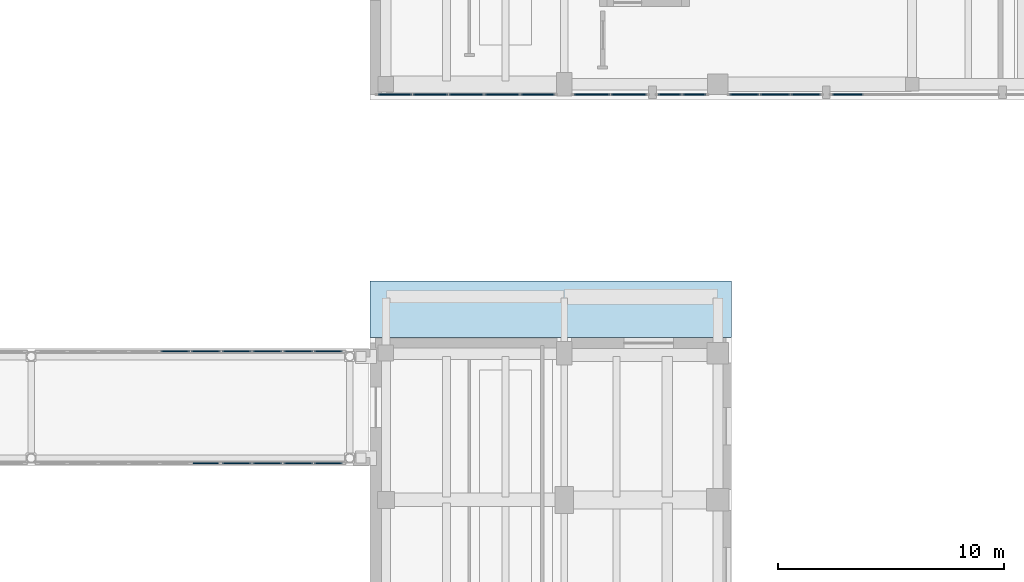
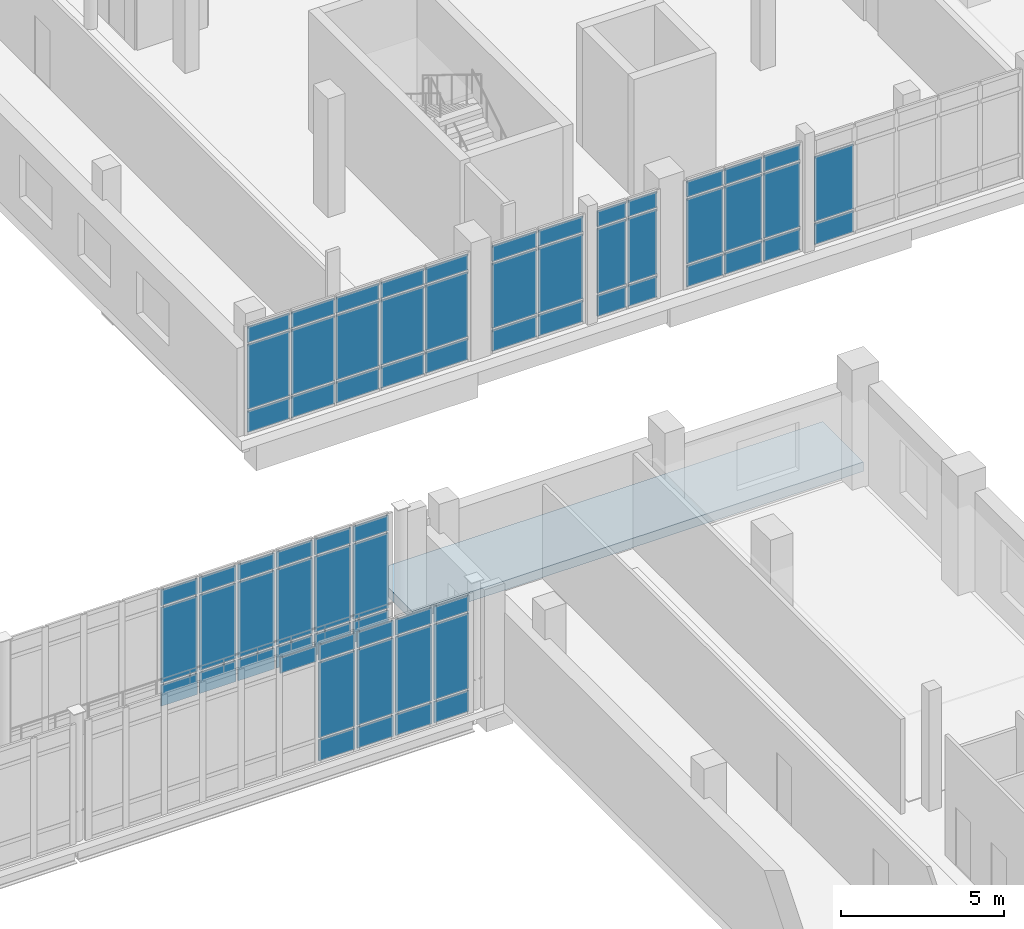
# One storey, part 51 of 89: 69 plates, 1 slab, 7 elements without a shape of their own.
"""IFC4 building model written with IfcOpenShell, lengths in metres."""

from ifc_helpers import new_model, si_unit, direction, frame, origin, origin_2d, place, context, subcontext, project, spatial, polyline, rectangle, outline, extrude, material, layer, layer_set, type_object, element, aggregate, save


model = new_model("IFC4")

# Units and contexts
model_context = context("Model", 3, precision=1e-05, world=origin(), true_north=direction((0.0, 1.0)))
body_context = subcontext(model_context, "Body", "Model", "MODEL_VIEW")
ifc_project = project(units=[si_unit("LENGTHUNIT", "METRE"), si_unit("AREAUNIT", "SQUARE_METRE"), si_unit("VOLUMEUNIT", "CUBIC_METRE"), si_unit("PLANEANGLEUNIT", "RADIAN"), si_unit("MASSUNIT", "GRAM", prefix="KILO")], contexts=[model_context])

# Site, building, storey
site_placement = place(None, origin())
site = spatial("IfcSite", under=ifc_project, at=site_placement, CompositionType="ELEMENT")
building_placement = place(site_placement, origin())
building = spatial("IfcBuilding", under=site, at=building_placement, Name="Soyqirgoq Riverine Aquarium", CompositionType="ELEMENT")
storey_placement = place(building_placement, frame((0.0, 0.0, 5.39990234375)))
storey = spatial("IfcBuildingStorey", under=building, at=storey_placement, Name="L02", CompositionType="ELEMENT", Elevation=5.39990234375)

# Curtain wall, plates
ifc_material_1 = material(Name="Anodised aluminium thermally broken gallery curtain wall", Category="aluminium")
curtain_wall_type_1 = type_object("IfcCurtainWallType", Name="CW_Pavilion_Ribbon", PredefinedType="NOTDEFINED", material=ifc_material_1)
curtain_wall_1_placement = place(storey_placement, origin())
curtain_wall_1 = element("IfcCurtainWall", 1, at=curtain_wall_1_placement, inside=storey, type_object=curtain_wall_type_1, Name="V7 L02 Curtain Wall 127", PredefinedType="NOTDEFINED")
ifc_material_2 = material(Name="Triple insulated laminated low-E glass", Category="glass")
ifc_layer_1 = layer(ifc_material_2, 0.0458984375)
ifc_layer_set_1 = layer_set([ifc_layer_1], Name="Triple insulated laminated low-E glass")
plate_type = type_object("IfcPlateType", Name="CWGlazedPanel_46", PredefinedType="CURTAIN_PANEL", material=ifc_layer_set_1)
plate_1_placement = place(storey_placement, frame((135.15234375, 56.25, 0.074951171875), z_axis=(0.0, 0.0, 1.0), x_axis=(-1.0, 0.0, 0.0)))
plate_1 = element("IfcPlate", 2, at=plate_1_placement, type_object=plate_type, Name="CW-05 panel 5.1", PredefinedType="CURTAIN_PANEL", context=body_context, shape_type="SweptSolid", body=[
    extrude(rectangle(XDim=1.384521484375, YDim=0.0458984375, at=origin_2d()), origin(), (0.0, 0.0, 1.0), 0.78759765625),
])
plate_2_placement = place(storey_placement, frame((135.15234375, 56.25, 0.9375), z_axis=(0.0, 0.0, 1.0), x_axis=(-1.0, 0.0, 0.0)))
plate_2 = element("IfcPlate", 3, at=plate_2_placement, type_object=plate_type, Name="CW-05 panel 5.2", PredefinedType="CURTAIN_PANEL", context=body_context, shape_type="SweptSolid", body=[
    extrude(rectangle(XDim=1.384521484375, YDim=0.0458984375, at=origin_2d()), origin(), (0.0, 0.0, 1.0), 2.425048828125),
])
aggregate(curtain_wall_1, [plate_1, plate_2])

curtain_wall_2_placement = place(storey_placement, origin())
curtain_wall_2 = element("IfcCurtainWall", 4, at=curtain_wall_2_placement, inside=storey, type_object=curtain_wall_type_1, Name="V7 L02 Curtain Wall 128", PredefinedType="NOTDEFINED")
plate_3_placement = place(storey_placement, frame((133.299560546875, 56.25, 0.074951171875), z_axis=(0.0, 0.0, 1.0), x_axis=(-1.0, 0.0, 0.0)))
plate_3 = element("IfcPlate", 5, at=plate_3_placement, type_object=plate_type, Name="CW-05 panel 1.1", PredefinedType="CURTAIN_PANEL", context=body_context, shape_type="SweptSolid", body=[
    extrude(rectangle(XDim=1.28076171875, YDim=0.0458984375, at=origin_2d()), origin(), (0.0, 0.0, 1.0), 0.78759765625),
])
plate_4_placement = place(storey_placement, frame((133.299560546875, 56.25, 0.9375), z_axis=(0.0, 0.0, 1.0), x_axis=(-1.0, 0.0, 0.0)))
plate_4 = element("IfcPlate", 6, at=plate_4_placement, type_object=plate_type, Name="CW-05 panel 1.2", PredefinedType="CURTAIN_PANEL", context=body_context, shape_type="SweptSolid", body=[
    extrude(rectangle(XDim=1.28076171875, YDim=0.0458984375, at=origin_2d()), origin(), (0.0, 0.0, 1.0), 2.425048828125),
])
plate_5_placement = place(storey_placement, frame((133.299560546875, 56.25, 3.437744140625), z_axis=(0.0, 0.0, 1.0), x_axis=(-1.0, 0.0, 0.0)))
plate_5 = element("IfcPlate", 7, at=plate_5_placement, type_object=plate_type, Name="CW-05 panel 1.3", PredefinedType="CURTAIN_PANEL", context=body_context, shape_type="SweptSolid", body=[
    extrude(rectangle(XDim=1.28076171875, YDim=0.0458984375, at=origin_2d()), origin(), (0.0, 0.0, 1.0), 0.58740234375),
])
plate_6_placement = place(storey_placement, frame((131.9375, 56.25, 0.074951171875), z_axis=(0.0, 0.0, 1.0), x_axis=(-1.0, 0.0, 0.0)))
plate_6 = element("IfcPlate", 8, at=plate_6_placement, type_object=plate_type, Name="CW-05 panel 2.1", PredefinedType="CURTAIN_PANEL", context=body_context, shape_type="SweptSolid", body=[
    extrude(rectangle(XDim=1.313232421875, YDim=0.0458984375, at=origin_2d()), origin(), (0.0, 0.0, 1.0), 0.78759765625),
])
plate_7_placement = place(storey_placement, frame((131.9375, 56.25, 0.9375), z_axis=(0.0, 0.0, 1.0), x_axis=(-1.0, 0.0, 0.0)))
plate_7 = element("IfcPlate", 9, at=plate_7_placement, type_object=plate_type, Name="CW-05 panel 2.2", PredefinedType="CURTAIN_PANEL", context=body_context, shape_type="SweptSolid", body=[
    extrude(rectangle(XDim=1.313232421875, YDim=0.0458984375, at=origin_2d()), origin(), (0.0, 0.0, 1.0), 2.425048828125),
])
plate_8_placement = place(storey_placement, frame((131.9375, 56.25, 3.437744140625), z_axis=(0.0, 0.0, 1.0), x_axis=(-1.0, 0.0, 0.0)))
plate_8 = element("IfcPlate", 10, at=plate_8_placement, type_object=plate_type, Name="CW-05 panel 2.3", PredefinedType="CURTAIN_PANEL", context=body_context, shape_type="SweptSolid", body=[
    extrude(rectangle(XDim=1.313232421875, YDim=0.0458984375, at=origin_2d()), origin(), (0.0, 0.0, 1.0), 0.58740234375),
])
plate_9_placement = place(storey_placement, frame((130.575439453125, 56.25, 0.074951171875), z_axis=(0.0, 0.0, 1.0), x_axis=(-1.0, 0.0, 0.0)))
plate_9 = element("IfcPlate", 11, at=plate_9_placement, type_object=plate_type, Name="CW-05 panel 3.1", PredefinedType="CURTAIN_PANEL", context=body_context, shape_type="SweptSolid", body=[
    extrude(rectangle(XDim=1.28076171875, YDim=0.0458984375, at=origin_2d()), origin(), (0.0, 0.0, 1.0), 0.78759765625),
])
plate_10_placement = place(storey_placement, frame((130.575439453125, 56.25, 0.9375), z_axis=(0.0, 0.0, 1.0), x_axis=(-1.0, 0.0, 0.0)))
plate_10 = element("IfcPlate", 12, at=plate_10_placement, type_object=plate_type, Name="CW-05 panel 3.2", PredefinedType="CURTAIN_PANEL", context=body_context, shape_type="SweptSolid", body=[
    extrude(rectangle(XDim=1.28076171875, YDim=0.0458984375, at=origin_2d()), origin(), (0.0, 0.0, 1.0), 2.425048828125),
])
plate_11_placement = place(storey_placement, frame((130.575439453125, 56.25, 3.437744140625), z_axis=(0.0, 0.0, 1.0), x_axis=(-1.0, 0.0, 0.0)))
plate_11 = element("IfcPlate", 13, at=plate_11_placement, type_object=plate_type, Name="CW-05 panel 3.3", PredefinedType="CURTAIN_PANEL", context=body_context, shape_type="SweptSolid", body=[
    extrude(rectangle(XDim=1.28076171875, YDim=0.0458984375, at=origin_2d()), origin(), (0.0, 0.0, 1.0), 0.58740234375),
])
aggregate(curtain_wall_2, [plate_3, plate_4, plate_5, plate_6, plate_7, plate_8, plate_9, plate_10, plate_11])

curtain_wall_3_placement = place(storey_placement, origin())
curtain_wall_3 = element("IfcCurtainWall", 14, at=curtain_wall_3_placement, inside=storey, type_object=curtain_wall_type_1, Name="V7 L02 Curtain Wall 129", PredefinedType="NOTDEFINED")
plate_12_placement = place(storey_placement, frame((128.35498046875, 56.25, 0.074951171875), z_axis=(0.0, 0.0, 1.0), x_axis=(-1.0, 0.0, 0.0)))
plate_12 = element("IfcPlate", 15, at=plate_12_placement, type_object=plate_type, Name="CW-05 panel 1.1", PredefinedType="CURTAIN_PANEL", context=body_context, shape_type="SweptSolid", body=[
    extrude(rectangle(XDim=1.02001953125, YDim=0.0458984375, at=origin_2d()), origin(), (0.0, 0.0, 1.0), 0.78759765625),
])
plate_13_placement = place(storey_placement, frame((128.35498046875, 56.25, 0.9375), z_axis=(0.0, 0.0, 1.0), x_axis=(-1.0, 0.0, 0.0)))
plate_13 = element("IfcPlate", 16, at=plate_13_placement, type_object=plate_type, Name="CW-05 panel 1.2", PredefinedType="CURTAIN_PANEL", context=body_context, shape_type="SweptSolid", body=[
    extrude(rectangle(XDim=1.02001953125, YDim=0.0458984375, at=origin_2d()), origin(), (0.0, 0.0, 1.0), 2.425048828125),
])
plate_14_placement = place(storey_placement, frame((128.35498046875, 56.25, 3.437744140625), z_axis=(0.0, 0.0, 1.0), x_axis=(-1.0, 0.0, 0.0)))
plate_14 = element("IfcPlate", 17, at=plate_14_placement, type_object=plate_type, Name="CW-05 panel 1.3", PredefinedType="CURTAIN_PANEL", context=body_context, shape_type="SweptSolid", body=[
    extrude(rectangle(XDim=1.02001953125, YDim=0.0458984375, at=origin_2d()), origin(), (0.0, 0.0, 1.0), 0.58740234375),
])
plate_15_placement = place(storey_placement, frame((127.27001953125, 56.25, 0.074951171875), z_axis=(0.0, 0.0, 1.0), x_axis=(-1.0, 0.0, 0.0)))
plate_15 = element("IfcPlate", 18, at=plate_15_placement, type_object=plate_type, Name="CW-05 panel 2.1", PredefinedType="CURTAIN_PANEL", context=body_context, shape_type="SweptSolid", body=[
    extrude(rectangle(XDim=1.02001953125, YDim=0.0458984375, at=origin_2d()), origin(), (0.0, 0.0, 1.0), 0.78759765625),
])
plate_16_placement = place(storey_placement, frame((127.27001953125, 56.25, 0.9375), z_axis=(0.0, 0.0, 1.0), x_axis=(-1.0, 0.0, 0.0)))
plate_16 = element("IfcPlate", 19, at=plate_16_placement, type_object=plate_type, Name="CW-05 panel 2.2", PredefinedType="CURTAIN_PANEL", context=body_context, shape_type="SweptSolid", body=[
    extrude(rectangle(XDim=1.02001953125, YDim=0.0458984375, at=origin_2d()), origin(), (0.0, 0.0, 1.0), 2.425048828125),
])
plate_17_placement = place(storey_placement, frame((127.27001953125, 56.25, 3.437744140625), z_axis=(0.0, 0.0, 1.0), x_axis=(-1.0, 0.0, 0.0)))
plate_17 = element("IfcPlate", 20, at=plate_17_placement, type_object=plate_type, Name="CW-05 panel 2.3", PredefinedType="CURTAIN_PANEL", context=body_context, shape_type="SweptSolid", body=[
    extrude(rectangle(XDim=1.02001953125, YDim=0.0458984375, at=origin_2d()), origin(), (0.0, 0.0, 1.0), 0.58740234375),
])
aggregate(curtain_wall_3, [plate_12, plate_13, plate_14, plate_15, plate_16, plate_17])

curtain_wall_4_placement = place(storey_placement, origin())
curtain_wall_4 = element("IfcCurtainWall", 21, at=curtain_wall_4_placement, inside=storey, type_object=curtain_wall_type_1, Name="V7 L02 Curtain Wall 130", PredefinedType="NOTDEFINED")
plate_18_placement = place(storey_placement, frame((125.455078125, 56.25, 0.074951171875), z_axis=(0.0, 0.0, 1.0), x_axis=(-1.0, 0.0, 0.0)))
plate_18 = element("IfcPlate", 22, at=plate_18_placement, type_object=plate_type, Name="CW-05 panel 1.1", PredefinedType="CURTAIN_PANEL", context=body_context, shape_type="SweptSolid", body=[
    extrude(rectangle(XDim=1.570068359375, YDim=0.0458984375, at=origin_2d()), origin(), (0.0, 0.0, 1.0), 0.78759765625),
])
plate_19_placement = place(storey_placement, frame((125.455078125, 56.25, 0.9375), z_axis=(0.0, 0.0, 1.0), x_axis=(-1.0, 0.0, 0.0)))
plate_19 = element("IfcPlate", 23, at=plate_19_placement, type_object=plate_type, Name="CW-05 panel 1.2", PredefinedType="CURTAIN_PANEL", context=body_context, shape_type="SweptSolid", body=[
    extrude(rectangle(XDim=1.570068359375, YDim=0.0458984375, at=origin_2d()), origin(), (0.0, 0.0, 1.0), 2.425048828125),
])
plate_20_placement = place(storey_placement, frame((125.455078125, 56.25, 3.437744140625), z_axis=(0.0, 0.0, 1.0), x_axis=(-1.0, 0.0, 0.0)))
plate_20 = element("IfcPlate", 24, at=plate_20_placement, type_object=plate_type, Name="CW-05 panel 1.3", PredefinedType="CURTAIN_PANEL", context=body_context, shape_type="SweptSolid", body=[
    extrude(rectangle(XDim=1.570068359375, YDim=0.0458984375, at=origin_2d()), origin(), (0.0, 0.0, 1.0), 0.58740234375),
])
plate_21_placement = place(storey_placement, frame((123.820068359375, 56.25, 0.074951171875), z_axis=(0.0, 0.0, 1.0), x_axis=(-1.0, 0.0, 0.0)))
plate_21 = element("IfcPlate", 25, at=plate_21_placement, type_object=plate_type, Name="CW-05 panel 2.1", PredefinedType="CURTAIN_PANEL", context=body_context, shape_type="SweptSolid", body=[
    extrude(rectangle(XDim=1.570068359375, YDim=0.0458984375, at=origin_2d()), origin(), (0.0, 0.0, 1.0), 0.78759765625),
])
plate_22_placement = place(storey_placement, frame((123.820068359375, 56.25, 0.9375), z_axis=(0.0, 0.0, 1.0), x_axis=(-1.0, 0.0, 0.0)))
plate_22 = element("IfcPlate", 26, at=plate_22_placement, type_object=plate_type, Name="CW-05 panel 2.2", PredefinedType="CURTAIN_PANEL", context=body_context, shape_type="SweptSolid", body=[
    extrude(rectangle(XDim=1.570068359375, YDim=0.0458984375, at=origin_2d()), origin(), (0.0, 0.0, 1.0), 2.425048828125),
])
plate_23_placement = place(storey_placement, frame((123.820068359375, 56.25, 3.437744140625), z_axis=(0.0, 0.0, 1.0), x_axis=(-1.0, 0.0, 0.0)))
plate_23 = element("IfcPlate", 27, at=plate_23_placement, type_object=plate_type, Name="CW-05 panel 2.3", PredefinedType="CURTAIN_PANEL", context=body_context, shape_type="SweptSolid", body=[
    extrude(rectangle(XDim=1.570068359375, YDim=0.0458984375, at=origin_2d()), origin(), (0.0, 0.0, 1.0), 0.58740234375),
])
aggregate(curtain_wall_4, [plate_18, plate_19, plate_20, plate_21, plate_22, plate_23])

curtain_wall_5_placement = place(storey_placement, origin())
curtain_wall_5 = element("IfcCurtainWall", 28, at=curtain_wall_5_placement, inside=storey, type_object=curtain_wall_type_1, Name="V7 L02 Curtain Wall 131", PredefinedType="NOTDEFINED")
plate_24_placement = place(storey_placement, frame((121.419677734375, 56.25, 0.074951171875), z_axis=(0.0, 0.0, 1.0), x_axis=(-1.0, 0.0, 0.0)))
plate_24 = element("IfcPlate", 29, at=plate_24_placement, type_object=plate_type, Name="CW-05 panel 1.1", PredefinedType="CURTAIN_PANEL", context=body_context, shape_type="SweptSolid", body=[
    extrude(rectangle(XDim=1.490478515625, YDim=0.0458984375, at=origin_2d()), origin(), (0.0, 0.0, 1.0), 0.78759765625),
])
plate_25_placement = place(storey_placement, frame((121.419677734375, 56.25, 0.9375), z_axis=(0.0, 0.0, 1.0), x_axis=(-1.0, 0.0, 0.0)))
plate_25 = element("IfcPlate", 30, at=plate_25_placement, type_object=plate_type, Name="CW-05 panel 1.2", PredefinedType="CURTAIN_PANEL", context=body_context, shape_type="SweptSolid", body=[
    extrude(rectangle(XDim=1.490478515625, YDim=0.0458984375, at=origin_2d()), origin(), (0.0, 0.0, 1.0), 2.425048828125),
])
plate_26_placement = place(storey_placement, frame((121.419677734375, 56.25, 3.437744140625), z_axis=(0.0, 0.0, 1.0), x_axis=(-1.0, 0.0, 0.0)))
plate_26 = element("IfcPlate", 31, at=plate_26_placement, type_object=plate_type, Name="CW-05 panel 1.3", PredefinedType="CURTAIN_PANEL", context=body_context, shape_type="SweptSolid", body=[
    extrude(rectangle(XDim=1.490478515625, YDim=0.0458984375, at=origin_2d()), origin(), (0.0, 0.0, 1.0), 0.58740234375),
])
plate_27_placement = place(storey_placement, frame((119.847900390625, 56.25, 0.074951171875), z_axis=(0.0, 0.0, 1.0), x_axis=(-1.0, 0.0, 0.0)))
plate_27 = element("IfcPlate", 32, at=plate_27_placement, type_object=plate_type, Name="CW-05 panel 2.1", PredefinedType="CURTAIN_PANEL", context=body_context, shape_type="SweptSolid", body=[
    extrude(rectangle(XDim=1.52294921875, YDim=0.0458984375, at=origin_2d()), origin(), (0.0, 0.0, 1.0), 0.78759765625),
])
plate_28_placement = place(storey_placement, frame((119.847900390625, 56.25, 0.9375), z_axis=(0.0, 0.0, 1.0), x_axis=(-1.0, 0.0, 0.0)))
plate_28 = element("IfcPlate", 33, at=plate_28_placement, type_object=plate_type, Name="CW-05 panel 2.2", PredefinedType="CURTAIN_PANEL", context=body_context, shape_type="SweptSolid", body=[
    extrude(rectangle(XDim=1.52294921875, YDim=0.0458984375, at=origin_2d()), origin(), (0.0, 0.0, 1.0), 2.425048828125),
])
plate_29_placement = place(storey_placement, frame((119.847900390625, 56.25, 3.437744140625), z_axis=(0.0, 0.0, 1.0), x_axis=(-1.0, 0.0, 0.0)))
plate_29 = element("IfcPlate", 34, at=plate_29_placement, type_object=plate_type, Name="CW-05 panel 2.3", PredefinedType="CURTAIN_PANEL", context=body_context, shape_type="SweptSolid", body=[
    extrude(rectangle(XDim=1.52294921875, YDim=0.0458984375, at=origin_2d()), origin(), (0.0, 0.0, 1.0), 0.58740234375),
])
plate_30_placement = place(storey_placement, frame((118.260009765625, 56.25, 0.074951171875), z_axis=(0.0, 0.0, 1.0), x_axis=(-1.0, 0.0, 0.0)))
plate_30 = element("IfcPlate", 35, at=plate_30_placement, type_object=plate_type, Name="CW-05 panel 3.1", PredefinedType="CURTAIN_PANEL", context=body_context, shape_type="SweptSolid", body=[
    extrude(rectangle(XDim=1.52294921875, YDim=0.0458984375, at=origin_2d()), origin(), (0.0, 0.0, 1.0), 0.78759765625),
])
plate_31_placement = place(storey_placement, frame((118.260009765625, 56.25, 0.9375), z_axis=(0.0, 0.0, 1.0), x_axis=(-1.0, 0.0, 0.0)))
plate_31 = element("IfcPlate", 36, at=plate_31_placement, type_object=plate_type, Name="CW-05 panel 3.2", PredefinedType="CURTAIN_PANEL", context=body_context, shape_type="SweptSolid", body=[
    extrude(rectangle(XDim=1.52294921875, YDim=0.0458984375, at=origin_2d()), origin(), (0.0, 0.0, 1.0), 2.425048828125),
])
plate_32_placement = place(storey_placement, frame((118.260009765625, 56.25, 3.437744140625), z_axis=(0.0, 0.0, 1.0), x_axis=(-1.0, 0.0, 0.0)))
plate_32 = element("IfcPlate", 37, at=plate_32_placement, type_object=plate_type, Name="CW-05 panel 3.3", PredefinedType="CURTAIN_PANEL", context=body_context, shape_type="SweptSolid", body=[
    extrude(rectangle(XDim=1.52294921875, YDim=0.0458984375, at=origin_2d()), origin(), (0.0, 0.0, 1.0), 0.58740234375),
])
plate_33_placement = place(storey_placement, frame((116.672119140625, 56.25, 0.074951171875), z_axis=(0.0, 0.0, 1.0), x_axis=(-1.0, 0.0, 0.0)))
plate_33 = element("IfcPlate", 38, at=plate_33_placement, type_object=plate_type, Name="CW-05 panel 4.1", PredefinedType="CURTAIN_PANEL", context=body_context, shape_type="SweptSolid", body=[
    extrude(rectangle(XDim=1.52294921875, YDim=0.0458984375, at=origin_2d()), origin(), (0.0, 0.0, 1.0), 0.78759765625),
])
plate_34_placement = place(storey_placement, frame((116.672119140625, 56.25, 0.9375), z_axis=(0.0, 0.0, 1.0), x_axis=(-1.0, 0.0, 0.0)))
plate_34 = element("IfcPlate", 39, at=plate_34_placement, type_object=plate_type, Name="CW-05 panel 4.2", PredefinedType="CURTAIN_PANEL", context=body_context, shape_type="SweptSolid", body=[
    extrude(rectangle(XDim=1.52294921875, YDim=0.0458984375, at=origin_2d()), origin(), (0.0, 0.0, 1.0), 2.425048828125),
])
plate_35_placement = place(storey_placement, frame((116.672119140625, 56.25, 3.437744140625), z_axis=(0.0, 0.0, 1.0), x_axis=(-1.0, 0.0, 0.0)))
plate_35 = element("IfcPlate", 40, at=plate_35_placement, type_object=plate_type, Name="CW-05 panel 4.3", PredefinedType="CURTAIN_PANEL", context=body_context, shape_type="SweptSolid", body=[
    extrude(rectangle(XDim=1.52294921875, YDim=0.0458984375, at=origin_2d()), origin(), (0.0, 0.0, 1.0), 0.58740234375),
])
plate_36_placement = place(storey_placement, frame((115.100341796875, 56.25, 0.074951171875), z_axis=(0.0, 0.0, 1.0), x_axis=(-1.0, 0.0, 0.0)))
plate_36 = element("IfcPlate", 41, at=plate_36_placement, type_object=plate_type, Name="CW-05 panel 5.1", PredefinedType="CURTAIN_PANEL", context=body_context, shape_type="SweptSolid", body=[
    extrude(rectangle(XDim=1.490478515625, YDim=0.0458984375, at=origin_2d()), origin(), (0.0, 0.0, 1.0), 0.78759765625),
])
plate_37_placement = place(storey_placement, frame((115.100341796875, 56.25, 0.9375), z_axis=(0.0, 0.0, 1.0), x_axis=(-1.0, 0.0, 0.0)))
plate_37 = element("IfcPlate", 42, at=plate_37_placement, type_object=plate_type, Name="CW-05 panel 5.2", PredefinedType="CURTAIN_PANEL", context=body_context, shape_type="SweptSolid", body=[
    extrude(rectangle(XDim=1.490478515625, YDim=0.0458984375, at=origin_2d()), origin(), (0.0, 0.0, 1.0), 2.425048828125),
])
plate_38_placement = place(storey_placement, frame((115.100341796875, 56.25, 3.437744140625), z_axis=(0.0, 0.0, 1.0), x_axis=(-1.0, 0.0, 0.0)))
plate_38 = element("IfcPlate", 43, at=plate_38_placement, type_object=plate_type, Name="CW-05 panel 5.3", PredefinedType="CURTAIN_PANEL", context=body_context, shape_type="SweptSolid", body=[
    extrude(rectangle(XDim=1.490478515625, YDim=0.0458984375, at=origin_2d()), origin(), (0.0, 0.0, 1.0), 0.58740234375),
])
aggregate(curtain_wall_5, [plate_24, plate_25, plate_26, plate_27, plate_28, plate_29, plate_30, plate_31, plate_32, plate_33, plate_34, plate_35, plate_36, plate_37, plate_38])

ifc_material_3 = material(Name="Laminated solar-control bridge curtain wall", Category="aluminium")
curtain_wall_type_2 = type_object("IfcCurtainWallType", Name="CW_Bridge_Concourse", PredefinedType="NOTDEFINED", material=ifc_material_3)
curtain_wall_6_placement = place(storey_placement, origin())
curtain_wall_6 = element("IfcCurtainWall", 44, at=curtain_wall_6_placement, inside=storey, type_object=curtain_wall_type_2, Name="BR-1 L02 Curtain Wall 137", PredefinedType="NOTDEFINED")
plate_39_placement = place(storey_placement, frame((106.73095703125, 39.919921875, 3.837646484375), z_axis=(0.0, 0.0, 1.0), x_axis=(1.0, 0.0, 0.0)))
plate_39 = element("IfcPlate", 45, at=plate_39_placement, type_object=plate_type, Name="CW-06 panel 6.3", PredefinedType="CURTAIN_PANEL", context=body_context, shape_type="SweptSolid", body=[
    extrude(rectangle(XDim=1.281982421875, YDim=0.0458984375, at=origin_2d()), origin(), (0.0, 0.0, 1.0), 0.58740234375),
])
plate_40_placement = place(storey_placement, frame((108.093017578125, 39.919921875, 0.074951171875), z_axis=(0.0, 0.0, 1.0), x_axis=(1.0, 0.0, 0.0)))
plate_40 = element("IfcPlate", 46, at=plate_40_placement, type_object=plate_type, Name="CW-06 panel 7.1", PredefinedType="CURTAIN_PANEL", context=body_context, shape_type="SweptSolid", body=[
    extrude(rectangle(XDim=1.281982421875, YDim=0.0458984375, at=origin_2d()), origin(), (0.0, 0.0, 1.0), 0.78759765625),
])
plate_41_placement = place(storey_placement, frame((108.093017578125, 39.919921875, 0.9375), z_axis=(0.0, 0.0, 1.0), x_axis=(1.0, 0.0, 0.0)))
plate_41 = element("IfcPlate", 47, at=plate_41_placement, type_object=plate_type, Name="CW-06 panel 7.2", PredefinedType="CURTAIN_PANEL", context=body_context, shape_type="SweptSolid", body=[
    extrude(rectangle(XDim=1.281982421875, YDim=0.0458984375, at=origin_2d()), origin(), (0.0, 0.0, 1.0), 2.824951171875),
])
plate_42_placement = place(storey_placement, frame((108.093017578125, 39.919921875, 3.837646484375), z_axis=(0.0, 0.0, 1.0), x_axis=(1.0, 0.0, 0.0)))
plate_42 = element("IfcPlate", 48, at=plate_42_placement, type_object=plate_type, Name="CW-06 panel 7.3", PredefinedType="CURTAIN_PANEL", context=body_context, shape_type="SweptSolid", body=[
    extrude(rectangle(XDim=1.281982421875, YDim=0.0458984375, at=origin_2d()), origin(), (0.0, 0.0, 1.0), 0.58740234375),
])
plate_43_placement = place(storey_placement, frame((109.455078125, 39.919921875, 0.074951171875), z_axis=(0.0, 0.0, 1.0), x_axis=(1.0, 0.0, 0.0)))
plate_43 = element("IfcPlate", 49, at=plate_43_placement, type_object=plate_type, Name="CW-06 panel 8.1", PredefinedType="CURTAIN_PANEL", context=body_context, shape_type="SweptSolid", body=[
    extrude(rectangle(XDim=1.281982421875, YDim=0.0458984375, at=origin_2d()), origin(), (0.0, 0.0, 1.0), 0.78759765625),
])
plate_44_placement = place(storey_placement, frame((109.455078125, 39.919921875, 0.9375), z_axis=(0.0, 0.0, 1.0), x_axis=(1.0, 0.0, 0.0)))
plate_44 = element("IfcPlate", 50, at=plate_44_placement, type_object=plate_type, Name="CW-06 panel 8.2", PredefinedType="CURTAIN_PANEL", context=body_context, shape_type="SweptSolid", body=[
    extrude(rectangle(XDim=1.281982421875, YDim=0.0458984375, at=origin_2d()), origin(), (0.0, 0.0, 1.0), 2.824951171875),
])
plate_45_placement = place(storey_placement, frame((109.455078125, 39.919921875, 3.837646484375), z_axis=(0.0, 0.0, 1.0), x_axis=(1.0, 0.0, 0.0)))
plate_45 = element("IfcPlate", 51, at=plate_45_placement, type_object=plate_type, Name="CW-06 panel 8.3", PredefinedType="CURTAIN_PANEL", context=body_context, shape_type="SweptSolid", body=[
    extrude(rectangle(XDim=1.281982421875, YDim=0.0458984375, at=origin_2d()), origin(), (0.0, 0.0, 1.0), 0.58740234375),
])
plate_46_placement = place(storey_placement, frame((110.81689453125, 39.919921875, 0.074951171875), z_axis=(0.0, 0.0, 1.0), x_axis=(1.0, 0.0, 0.0)))
plate_46 = element("IfcPlate", 52, at=plate_46_placement, type_object=plate_type, Name="CW-06 panel 9.1", PredefinedType="CURTAIN_PANEL", context=body_context, shape_type="SweptSolid", body=[
    extrude(rectangle(XDim=1.281982421875, YDim=0.0458984375, at=origin_2d()), origin(), (0.0, 0.0, 1.0), 0.78759765625),
])
plate_47_placement = place(storey_placement, frame((110.81689453125, 39.919921875, 0.9375), z_axis=(0.0, 0.0, 1.0), x_axis=(1.0, 0.0, 0.0)))
plate_47 = element("IfcPlate", 53, at=plate_47_placement, type_object=plate_type, Name="CW-06 panel 9.2", PredefinedType="CURTAIN_PANEL", context=body_context, shape_type="SweptSolid", body=[
    extrude(rectangle(XDim=1.281982421875, YDim=0.0458984375, at=origin_2d()), origin(), (0.0, 0.0, 1.0), 2.824951171875),
])
plate_48_placement = place(storey_placement, frame((110.81689453125, 39.919921875, 3.837646484375), z_axis=(0.0, 0.0, 1.0), x_axis=(1.0, 0.0, 0.0)))
plate_48 = element("IfcPlate", 54, at=plate_48_placement, type_object=plate_type, Name="CW-06 panel 9.3", PredefinedType="CURTAIN_PANEL", context=body_context, shape_type="SweptSolid", body=[
    extrude(rectangle(XDim=1.281982421875, YDim=0.0458984375, at=origin_2d()), origin(), (0.0, 0.0, 1.0), 0.58740234375),
])
plate_49_placement = place(storey_placement, frame((112.158935546875, 39.919921875, 0.074951171875), z_axis=(0.0, 0.0, 1.0), x_axis=(1.0, 0.0, 0.0)))
plate_49 = element("IfcPlate", 55, at=plate_49_placement, type_object=plate_type, Name="CW-06 panel 10.1", PredefinedType="CURTAIN_PANEL", context=body_context, shape_type="SweptSolid", body=[
    extrude(rectangle(XDim=1.241943359375, YDim=0.0458984375, at=origin_2d()), origin(), (0.0, 0.0, 1.0), 0.78759765625),
])
plate_50_placement = place(storey_placement, frame((112.158935546875, 39.919921875, 0.9375), z_axis=(0.0, 0.0, 1.0), x_axis=(1.0, 0.0, 0.0)))
plate_50 = element("IfcPlate", 56, at=plate_50_placement, type_object=plate_type, Name="CW-06 panel 10.2", PredefinedType="CURTAIN_PANEL", context=body_context, shape_type="SweptSolid", body=[
    extrude(rectangle(XDim=1.241943359375, YDim=0.0458984375, at=origin_2d()), origin(), (0.0, 0.0, 1.0), 2.824951171875),
])
plate_51_placement = place(storey_placement, frame((112.158935546875, 39.919921875, 3.837646484375), z_axis=(0.0, 0.0, 1.0), x_axis=(1.0, 0.0, 0.0)))
plate_51 = element("IfcPlate", 57, at=plate_51_placement, type_object=plate_type, Name="CW-06 panel 10.3", PredefinedType="CURTAIN_PANEL", context=body_context, shape_type="SweptSolid", body=[
    extrude(rectangle(XDim=1.241943359375, YDim=0.0458984375, at=origin_2d()), origin(), (0.0, 0.0, 1.0), 0.58740234375),
])
aggregate(curtain_wall_6, [plate_39, plate_40, plate_41, plate_42, plate_43, plate_44, plate_45, plate_46, plate_47, plate_48, plate_49, plate_50, plate_51])

curtain_wall_7_placement = place(storey_placement, origin())
curtain_wall_7 = element("IfcCurtainWall", 58, at=curtain_wall_7_placement, inside=storey, type_object=curtain_wall_type_2, Name="BR-1 L02 Curtain Wall 140", PredefinedType="NOTDEFINED")
plate_52_placement = place(storey_placement, frame((105.368896484375, 44.8798828125, 0.074951171875), z_axis=(0.0, 0.0, 1.0), x_axis=(1.0, 0.0, 0.0)))
plate_52 = element("IfcPlate", 59, at=plate_52_placement, type_object=plate_type, Name="CW-06 panel 5.1", PredefinedType="CURTAIN_PANEL", context=body_context, shape_type="SweptSolid", body=[
    extrude(rectangle(XDim=1.281982421875, YDim=0.0458984375, at=origin_2d()), origin(), (0.0, 0.0, 1.0), 0.78759765625),
])
plate_53_placement = place(storey_placement, frame((105.368896484375, 44.8798828125, 0.9375), z_axis=(0.0, 0.0, 1.0), x_axis=(1.0, 0.0, 0.0)))
plate_53 = element("IfcPlate", 60, at=plate_53_placement, type_object=plate_type, Name="CW-06 panel 5.2", PredefinedType="CURTAIN_PANEL", context=body_context, shape_type="SweptSolid", body=[
    extrude(rectangle(XDim=1.281982421875, YDim=0.0458984375, at=origin_2d()), origin(), (0.0, 0.0, 1.0), 2.824951171875),
])
plate_54_placement = place(storey_placement, frame((105.368896484375, 44.8798828125, 3.837646484375), z_axis=(0.0, 0.0, 1.0), x_axis=(1.0, 0.0, 0.0)))
plate_54 = element("IfcPlate", 61, at=plate_54_placement, type_object=plate_type, Name="CW-06 panel 5.3", PredefinedType="CURTAIN_PANEL", context=body_context, shape_type="SweptSolid", body=[
    extrude(rectangle(XDim=1.281982421875, YDim=0.0458984375, at=origin_2d()), origin(), (0.0, 0.0, 1.0), 0.58740234375),
])
plate_55_placement = place(storey_placement, frame((106.73095703125, 44.8798828125, 0.074951171875), z_axis=(0.0, 0.0, 1.0), x_axis=(1.0, 0.0, 0.0)))
plate_55 = element("IfcPlate", 62, at=plate_55_placement, type_object=plate_type, Name="CW-06 panel 6.1", PredefinedType="CURTAIN_PANEL", context=body_context, shape_type="SweptSolid", body=[
    extrude(rectangle(XDim=1.281982421875, YDim=0.0458984375, at=origin_2d()), origin(), (0.0, 0.0, 1.0), 0.78759765625),
])
plate_56_placement = place(storey_placement, frame((106.73095703125, 44.8798828125, 0.9375), z_axis=(0.0, 0.0, 1.0), x_axis=(1.0, 0.0, 0.0)))
plate_56 = element("IfcPlate", 63, at=plate_56_placement, type_object=plate_type, Name="CW-06 panel 6.2", PredefinedType="CURTAIN_PANEL", context=body_context, shape_type="SweptSolid", body=[
    extrude(rectangle(XDim=1.281982421875, YDim=0.0458984375, at=origin_2d()), origin(), (0.0, 0.0, 1.0), 2.824951171875),
])
plate_57_placement = place(storey_placement, frame((106.73095703125, 44.8798828125, 3.837646484375), z_axis=(0.0, 0.0, 1.0), x_axis=(1.0, 0.0, 0.0)))
plate_57 = element("IfcPlate", 64, at=plate_57_placement, type_object=plate_type, Name="CW-06 panel 6.3", PredefinedType="CURTAIN_PANEL", context=body_context, shape_type="SweptSolid", body=[
    extrude(rectangle(XDim=1.281982421875, YDim=0.0458984375, at=origin_2d()), origin(), (0.0, 0.0, 1.0), 0.58740234375),
])
plate_58_placement = place(storey_placement, frame((108.093017578125, 44.8798828125, 0.074951171875), z_axis=(0.0, 0.0, 1.0), x_axis=(1.0, 0.0, 0.0)))
plate_58 = element("IfcPlate", 65, at=plate_58_placement, type_object=plate_type, Name="CW-06 panel 7.1", PredefinedType="CURTAIN_PANEL", context=body_context, shape_type="SweptSolid", body=[
    extrude(rectangle(XDim=1.281982421875, YDim=0.0458984375, at=origin_2d()), origin(), (0.0, 0.0, 1.0), 0.78759765625),
])
plate_59_placement = place(storey_placement, frame((108.093017578125, 44.8798828125, 0.9375), z_axis=(0.0, 0.0, 1.0), x_axis=(1.0, 0.0, 0.0)))
plate_59 = element("IfcPlate", 66, at=plate_59_placement, type_object=plate_type, Name="CW-06 panel 7.2", PredefinedType="CURTAIN_PANEL", context=body_context, shape_type="SweptSolid", body=[
    extrude(rectangle(XDim=1.281982421875, YDim=0.0458984375, at=origin_2d()), origin(), (0.0, 0.0, 1.0), 2.824951171875),
])
plate_60_placement = place(storey_placement, frame((108.093017578125, 44.8798828125, 3.837646484375), z_axis=(0.0, 0.0, 1.0), x_axis=(1.0, 0.0, 0.0)))
plate_60 = element("IfcPlate", 67, at=plate_60_placement, type_object=plate_type, Name="CW-06 panel 7.3", PredefinedType="CURTAIN_PANEL", context=body_context, shape_type="SweptSolid", body=[
    extrude(rectangle(XDim=1.281982421875, YDim=0.0458984375, at=origin_2d()), origin(), (0.0, 0.0, 1.0), 0.58740234375),
])
plate_61_placement = place(storey_placement, frame((109.455078125, 44.8798828125, 0.074951171875), z_axis=(0.0, 0.0, 1.0), x_axis=(1.0, 0.0, 0.0)))
plate_61 = element("IfcPlate", 68, at=plate_61_placement, type_object=plate_type, Name="CW-06 panel 8.1", PredefinedType="CURTAIN_PANEL", context=body_context, shape_type="SweptSolid", body=[
    extrude(rectangle(XDim=1.281982421875, YDim=0.0458984375, at=origin_2d()), origin(), (0.0, 0.0, 1.0), 0.78759765625),
])
plate_62_placement = place(storey_placement, frame((109.455078125, 44.8798828125, 0.9375), z_axis=(0.0, 0.0, 1.0), x_axis=(1.0, 0.0, 0.0)))
plate_62 = element("IfcPlate", 69, at=plate_62_placement, type_object=plate_type, Name="CW-06 panel 8.2", PredefinedType="CURTAIN_PANEL", context=body_context, shape_type="SweptSolid", body=[
    extrude(rectangle(XDim=1.281982421875, YDim=0.0458984375, at=origin_2d()), origin(), (0.0, 0.0, 1.0), 2.824951171875),
])
plate_63_placement = place(storey_placement, frame((109.455078125, 44.8798828125, 3.837646484375), z_axis=(0.0, 0.0, 1.0), x_axis=(1.0, 0.0, 0.0)))
plate_63 = element("IfcPlate", 70, at=plate_63_placement, type_object=plate_type, Name="CW-06 panel 8.3", PredefinedType="CURTAIN_PANEL", context=body_context, shape_type="SweptSolid", body=[
    extrude(rectangle(XDim=1.281982421875, YDim=0.0458984375, at=origin_2d()), origin(), (0.0, 0.0, 1.0), 0.58740234375),
])
plate_64_placement = place(storey_placement, frame((110.81689453125, 44.8798828125, 0.074951171875), z_axis=(0.0, 0.0, 1.0), x_axis=(1.0, 0.0, 0.0)))
plate_64 = element("IfcPlate", 71, at=plate_64_placement, type_object=plate_type, Name="CW-06 panel 9.1", PredefinedType="CURTAIN_PANEL", context=body_context, shape_type="SweptSolid", body=[
    extrude(rectangle(XDim=1.281982421875, YDim=0.0458984375, at=origin_2d()), origin(), (0.0, 0.0, 1.0), 0.78759765625),
])
plate_65_placement = place(storey_placement, frame((110.81689453125, 44.8798828125, 0.9375), z_axis=(0.0, 0.0, 1.0), x_axis=(1.0, 0.0, 0.0)))
plate_65 = element("IfcPlate", 72, at=plate_65_placement, type_object=plate_type, Name="CW-06 panel 9.2", PredefinedType="CURTAIN_PANEL", context=body_context, shape_type="SweptSolid", body=[
    extrude(rectangle(XDim=1.281982421875, YDim=0.0458984375, at=origin_2d()), origin(), (0.0, 0.0, 1.0), 2.824951171875),
])
plate_66_placement = place(storey_placement, frame((110.81689453125, 44.8798828125, 3.837646484375), z_axis=(0.0, 0.0, 1.0), x_axis=(1.0, 0.0, 0.0)))
plate_66 = element("IfcPlate", 73, at=plate_66_placement, type_object=plate_type, Name="CW-06 panel 9.3", PredefinedType="CURTAIN_PANEL", context=body_context, shape_type="SweptSolid", body=[
    extrude(rectangle(XDim=1.281982421875, YDim=0.0458984375, at=origin_2d()), origin(), (0.0, 0.0, 1.0), 0.58740234375),
])
plate_67_placement = place(storey_placement, frame((112.158935546875, 44.8798828125, 0.074951171875), z_axis=(0.0, 0.0, 1.0), x_axis=(1.0, 0.0, 0.0)))
plate_67 = element("IfcPlate", 74, at=plate_67_placement, type_object=plate_type, Name="CW-06 panel 10.1", PredefinedType="CURTAIN_PANEL", context=body_context, shape_type="SweptSolid", body=[
    extrude(rectangle(XDim=1.241943359375, YDim=0.0458984375, at=origin_2d()), origin(), (0.0, 0.0, 1.0), 0.78759765625),
])
plate_68_placement = place(storey_placement, frame((112.158935546875, 44.8798828125, 0.9375), z_axis=(0.0, 0.0, 1.0), x_axis=(1.0, 0.0, 0.0)))
plate_68 = element("IfcPlate", 75, at=plate_68_placement, type_object=plate_type, Name="CW-06 panel 10.2", PredefinedType="CURTAIN_PANEL", context=body_context, shape_type="SweptSolid", body=[
    extrude(rectangle(XDim=1.241943359375, YDim=0.0458984375, at=origin_2d()), origin(), (0.0, 0.0, 1.0), 2.824951171875),
])
plate_69_placement = place(storey_placement, frame((112.158935546875, 44.8798828125, 3.837646484375), z_axis=(0.0, 0.0, 1.0), x_axis=(1.0, 0.0, 0.0)))
plate_69 = element("IfcPlate", 76, at=plate_69_placement, type_object=plate_type, Name="CW-06 panel 10.3", PredefinedType="CURTAIN_PANEL", context=body_context, shape_type="SweptSolid", body=[
    extrude(rectangle(XDim=1.241943359375, YDim=0.0458984375, at=origin_2d()), origin(), (0.0, 0.0, 1.0), 0.58740234375),
])
aggregate(curtain_wall_7, [plate_52, plate_53, plate_54, plate_55, plate_56, plate_57, plate_58, plate_59, plate_60, plate_61, plate_62, plate_63, plate_64, plate_65, plate_66, plate_67, plate_68, plate_69])

# Slab
ifc_material_4 = material(Name="Concrete C35/45", Category="concrete")
ifc_layer_2 = layer(ifc_material_4, 0.35009765625)
ifc_layer_set_2 = layer_set([ifc_layer_2], Name="Concrete C35/45")
slab_type = type_object("IfcSlabType", Name="StepRoof_350_C35", PredefinedType="ROOF", material=ifc_layer_set_2)
slab_placement = place(storey_placement, frame((0.0, 0.0, -0.349853515625)))
element("IfcSlab", 77, at=slab_placement, inside=storey, type_object=slab_type, Name="V6 L02 North Step Roof", PredefinedType="ROOF", context=body_context, shape_type="SweptSolid", body=[
    extrude(outline(polyline([(114.0, 45.5), (130.0, 45.5), (130.0, 48.0), (114.0, 48.0), (114.0, 45.5)])), origin(), (0.0, 0.0, 1.0), 0.349853515625),
])

save(model, "model.ifc")
